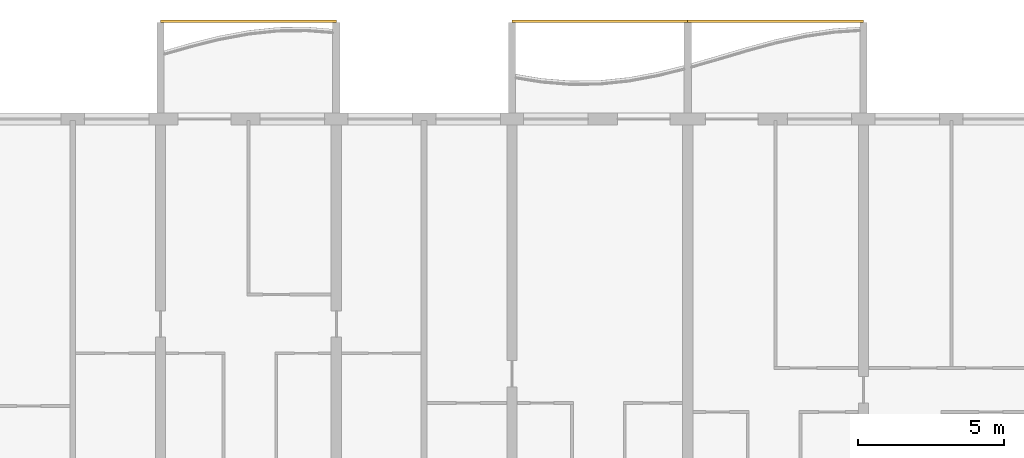
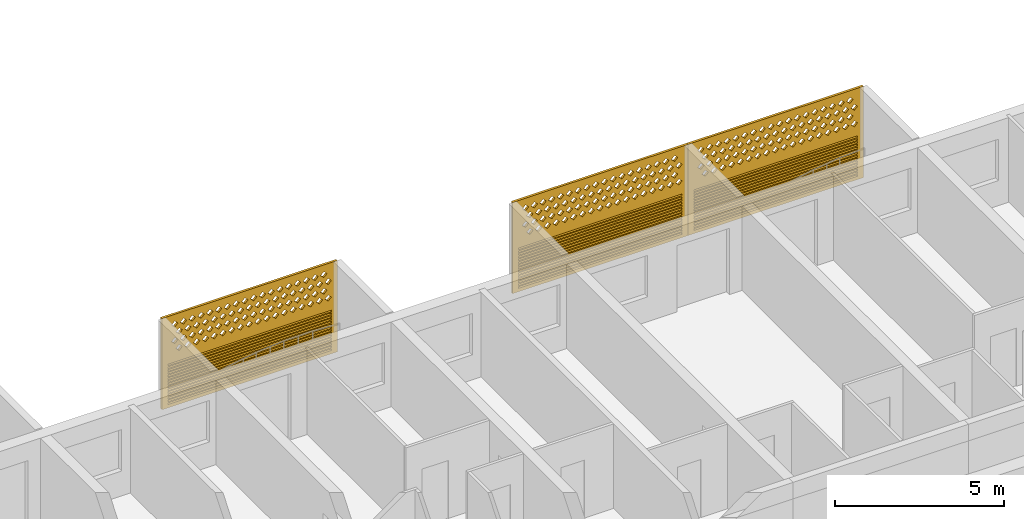
# One storey, part 21 of 27: 3 coverings.
"""IFC4 building model written with IfcOpenShell, lengths in metres."""

from ifc_helpers import new_model, si_unit, direction, frame, origin, place, context, subcontext, project, spatial, polyline, outline, extrude, source, transform, mapped, material, material_profile, profile_set, type_object, element, save


model = new_model("IFC4")

# Units and contexts
model_context = context("Model", 3, precision=1e-05, world=origin(), true_north=direction((0.0, 1.0)))
body_context = subcontext(model_context, "Body", "Model", "MODEL_VIEW")
ifc_project = project(units=[si_unit("LENGTHUNIT", "METRE"), si_unit("AREAUNIT", "SQUARE_METRE"), si_unit("VOLUMEUNIT", "CUBIC_METRE"), si_unit("PLANEANGLEUNIT", "RADIAN"), si_unit("MASSUNIT", "GRAM", prefix="KILO")], contexts=[model_context])

# Site, building, storey
site_placement = place(None, origin())
site = spatial("IfcSite", under=ifc_project, at=site_placement, CompositionType="ELEMENT")
building_placement = place(site_placement, origin())
building = spatial("IfcBuilding", under=site, at=building_placement, Name="Poui Terraces", CompositionType="ELEMENT")
storey_placement = place(building_placement, frame((0.0, 0.0, 92.699951171875)))
storey = spatial("IfcBuildingStorey", under=building, at=storey_placement, Name="L25", CompositionType="ELEMENT", Elevation=92.699951171875)

# Coverings
ifc_material = material(Name="Terracotta screen", Category="masonry")
ifc_material_profile = material_profile(ifc_material, outline(polyline([(-3.0, -1.64990234375), (3.0, -1.64990234375), (3.0, 1.64990234375), (-3.0, 1.64990234375), (-3.0, -1.64990234375)]), holes=[polyline([(-2.800048828125, 0.39990234375), (-2.68994140625, 0.2900390625), (-2.580078125, 0.39990234375), (-2.68994140625, 0.510009765625), (-2.800048828125, 0.39990234375)]), polyline([(-2.5, 0.39990234375), (-2.389892578125, 0.2900390625), (-2.280029296875, 0.39990234375), (-2.389892578125, 0.510009765625), (-2.5, 0.39990234375)]), polyline([(-2.199951171875, 0.39990234375), (-2.090087890625, 0.2900390625), (-1.97998046875, 0.39990234375), (-2.090087890625, 0.510009765625), (-2.199951171875, 0.39990234375)]), polyline([(-1.89990234375, 0.39990234375), (-1.7900390625, 0.2900390625), (-1.679931640625, 0.39990234375), (-1.7900390625, 0.510009765625), (-1.89990234375, 0.39990234375)]), polyline([(-1.60009765625, 0.39990234375), (-1.489990234375, 0.2900390625), (-1.3798828125, 0.39990234375), (-1.489990234375, 0.510009765625), (-1.60009765625, 0.39990234375)]), polyline([(-1.300048828125, 0.39990234375), (-1.18994140625, 0.2900390625), (-1.080078125, 0.39990234375), (-1.18994140625, 0.510009765625), (-1.300048828125, 0.39990234375)]), polyline([(-1.0, 0.39990234375), (-0.889892578125, 0.2900390625), (-0.780029296875, 0.39990234375), (-0.889892578125, 0.510009765625), (-1.0, 0.39990234375)]), polyline([(-0.699951171875, 0.39990234375), (-0.590087890625, 0.2900390625), (-0.47998046875, 0.39990234375), (-0.590087890625, 0.510009765625), (-0.699951171875, 0.39990234375)]), polyline([(-0.39990234375, 0.39990234375), (-0.2900390625, 0.2900390625), (-0.179931640625, 0.39990234375), (-0.2900390625, 0.510009765625), (-0.39990234375, 0.39990234375)]), polyline([(-0.10009765625, 0.39990234375), (0.010009765625, 0.2900390625), (0.1201171875, 0.39990234375), (0.010009765625, 0.510009765625), (-0.10009765625, 0.39990234375)]), polyline([(0.199951171875, 0.39990234375), (0.31005859375, 0.2900390625), (0.419921875, 0.39990234375), (0.31005859375, 0.510009765625), (0.199951171875, 0.39990234375)]), polyline([(0.5, 0.39990234375), (0.610107421875, 0.2900390625), (0.719970703125, 0.39990234375), (0.610107421875, 0.510009765625), (0.5, 0.39990234375)]), polyline([(0.800048828125, 0.39990234375), (0.909912109375, 0.2900390625), (1.02001953125, 0.39990234375), (0.909912109375, 0.510009765625), (0.800048828125, 0.39990234375)]), polyline([(1.10009765625, 0.39990234375), (1.2099609375, 0.2900390625), (1.320068359375, 0.39990234375), (1.2099609375, 0.510009765625), (1.10009765625, 0.39990234375)]), polyline([(1.39990234375, 0.39990234375), (1.510009765625, 0.2900390625), (1.6201171875, 0.39990234375), (1.510009765625, 0.510009765625), (1.39990234375, 0.39990234375)]), polyline([(1.699951171875, 0.39990234375), (1.81005859375, 0.2900390625), (1.919921875, 0.39990234375), (1.81005859375, 0.510009765625), (1.699951171875, 0.39990234375)]), polyline([(2.0, 0.39990234375), (2.110107421875, 0.2900390625), (2.219970703125, 0.39990234375), (2.110107421875, 0.510009765625), (2.0, 0.39990234375)]), polyline([(2.300048828125, 0.39990234375), (2.409912109375, 0.2900390625), (2.52001953125, 0.39990234375), (2.409912109375, 0.510009765625), (2.300048828125, 0.39990234375)]), polyline([(-2.64990234375, 0.699951171875), (-2.5400390625, 0.590087890625), (-2.429931640625, 0.699951171875), (-2.5400390625, 0.81005859375), (-2.64990234375, 0.699951171875)]), polyline([(-2.35009765625, 0.699951171875), (-2.239990234375, 0.590087890625), (-2.1298828125, 0.699951171875), (-2.239990234375, 0.81005859375), (-2.35009765625, 0.699951171875)]), polyline([(-2.050048828125, 0.699951171875), (-1.93994140625, 0.590087890625), (-1.830078125, 0.699951171875), (-1.93994140625, 0.81005859375), (-2.050048828125, 0.699951171875)]), polyline([(-1.75, 0.699951171875), (-1.639892578125, 0.590087890625), (-1.530029296875, 0.699951171875), (-1.639892578125, 0.81005859375), (-1.75, 0.699951171875)]), polyline([(-1.449951171875, 0.699951171875), (-1.340087890625, 0.590087890625), (-1.22998046875, 0.699951171875), (-1.340087890625, 0.81005859375), (-1.449951171875, 0.699951171875)]), polyline([(-1.14990234375, 0.699951171875), (-1.0400390625, 0.590087890625), (-0.929931640625, 0.699951171875), (-1.0400390625, 0.81005859375), (-1.14990234375, 0.699951171875)]), polyline([(-0.85009765625, 0.699951171875), (-0.739990234375, 0.590087890625), (-0.6298828125, 0.699951171875), (-0.739990234375, 0.81005859375), (-0.85009765625, 0.699951171875)]), polyline([(-0.550048828125, 0.699951171875), (-0.43994140625, 0.590087890625), (-0.330078125, 0.699951171875), (-0.43994140625, 0.81005859375), (-0.550048828125, 0.699951171875)]), polyline([(-0.25, 0.699951171875), (-0.139892578125, 0.590087890625), (-0.030029296875, 0.699951171875), (-0.139892578125, 0.81005859375), (-0.25, 0.699951171875)]), polyline([(0.050048828125, 0.699951171875), (0.159912109375, 0.590087890625), (0.27001953125, 0.699951171875), (0.159912109375, 0.81005859375), (0.050048828125, 0.699951171875)]), polyline([(0.35009765625, 0.699951171875), (0.4599609375, 0.590087890625), (0.570068359375, 0.699951171875), (0.4599609375, 0.81005859375), (0.35009765625, 0.699951171875)]), polyline([(0.64990234375, 0.699951171875), (0.760009765625, 0.590087890625), (0.8701171875, 0.699951171875), (0.760009765625, 0.81005859375), (0.64990234375, 0.699951171875)]), polyline([(0.949951171875, 0.699951171875), (1.06005859375, 0.590087890625), (1.169921875, 0.699951171875), (1.06005859375, 0.81005859375), (0.949951171875, 0.699951171875)]), polyline([(1.25, 0.699951171875), (1.360107421875, 0.590087890625), (1.469970703125, 0.699951171875), (1.360107421875, 0.81005859375), (1.25, 0.699951171875)]), polyline([(1.550048828125, 0.699951171875), (1.659912109375, 0.590087890625), (1.77001953125, 0.699951171875), (1.659912109375, 0.81005859375), (1.550048828125, 0.699951171875)]), polyline([(1.85009765625, 0.699951171875), (1.9599609375, 0.590087890625), (2.070068359375, 0.699951171875), (1.9599609375, 0.81005859375), (1.85009765625, 0.699951171875)]), polyline([(2.14990234375, 0.699951171875), (2.260009765625, 0.590087890625), (2.3701171875, 0.699951171875), (2.260009765625, 0.81005859375), (2.14990234375, 0.699951171875)]), polyline([(2.449951171875, 0.699951171875), (2.56005859375, 0.590087890625), (2.669921875, 0.699951171875), (2.56005859375, 0.81005859375), (2.449951171875, 0.699951171875)]), polyline([(-2.800048828125, 1.0), (-2.68994140625, 0.889892578125), (-2.580078125, 1.0), (-2.68994140625, 1.110107421875), (-2.800048828125, 1.0)]), polyline([(-2.5, 1.0), (-2.389892578125, 0.889892578125), (-2.280029296875, 1.0), (-2.389892578125, 1.110107421875), (-2.5, 1.0)]), polyline([(-2.199951171875, 1.0), (-2.090087890625, 0.889892578125), (-1.97998046875, 1.0), (-2.090087890625, 1.110107421875), (-2.199951171875, 1.0)]), polyline([(-1.89990234375, 1.0), (-1.7900390625, 0.889892578125), (-1.679931640625, 1.0), (-1.7900390625, 1.110107421875), (-1.89990234375, 1.0)]), polyline([(-1.60009765625, 1.0), (-1.489990234375, 0.889892578125), (-1.3798828125, 1.0), (-1.489990234375, 1.110107421875), (-1.60009765625, 1.0)]), polyline([(-1.300048828125, 1.0), (-1.18994140625, 0.889892578125), (-1.080078125, 1.0), (-1.18994140625, 1.110107421875), (-1.300048828125, 1.0)]), polyline([(-1.0, 1.0), (-0.889892578125, 0.889892578125), (-0.780029296875, 1.0), (-0.889892578125, 1.110107421875), (-1.0, 1.0)]), polyline([(-0.699951171875, 1.0), (-0.590087890625, 0.889892578125), (-0.47998046875, 1.0), (-0.590087890625, 1.110107421875), (-0.699951171875, 1.0)]), polyline([(-0.39990234375, 1.0), (-0.2900390625, 0.889892578125), (-0.179931640625, 1.0), (-0.2900390625, 1.110107421875), (-0.39990234375, 1.0)]), polyline([(-0.10009765625, 1.0), (0.010009765625, 0.889892578125), (0.1201171875, 1.0), (0.010009765625, 1.110107421875), (-0.10009765625, 1.0)]), polyline([(0.199951171875, 1.0), (0.31005859375, 0.889892578125), (0.419921875, 1.0), (0.31005859375, 1.110107421875), (0.199951171875, 1.0)]), polyline([(0.5, 1.0), (0.610107421875, 0.889892578125), (0.719970703125, 1.0), (0.610107421875, 1.110107421875), (0.5, 1.0)]), polyline([(0.800048828125, 1.0), (0.909912109375, 0.889892578125), (1.02001953125, 1.0), (0.909912109375, 1.110107421875), (0.800048828125, 1.0)]), polyline([(1.10009765625, 1.0), (1.2099609375, 0.889892578125), (1.320068359375, 1.0), (1.2099609375, 1.110107421875), (1.10009765625, 1.0)]), polyline([(1.39990234375, 1.0), (1.510009765625, 0.889892578125), (1.6201171875, 1.0), (1.510009765625, 1.110107421875), (1.39990234375, 1.0)]), polyline([(1.699951171875, 1.0), (1.81005859375, 0.889892578125), (1.919921875, 1.0), (1.81005859375, 1.110107421875), (1.699951171875, 1.0)]), polyline([(2.0, 1.0), (2.110107421875, 0.889892578125), (2.219970703125, 1.0), (2.110107421875, 1.110107421875), (2.0, 1.0)]), polyline([(2.300048828125, 1.0), (2.409912109375, 0.889892578125), (2.52001953125, 1.0), (2.409912109375, 1.110107421875), (2.300048828125, 1.0)]), polyline([(-2.64990234375, 1.300048828125), (-2.5400390625, 1.18994140625), (-2.429931640625, 1.300048828125), (-2.5400390625, 1.409912109375), (-2.64990234375, 1.300048828125)]), polyline([(-2.35009765625, 1.300048828125), (-2.239990234375, 1.18994140625), (-2.1298828125, 1.300048828125), (-2.239990234375, 1.409912109375), (-2.35009765625, 1.300048828125)]), polyline([(-2.050048828125, 1.300048828125), (-1.93994140625, 1.18994140625), (-1.830078125, 1.300048828125), (-1.93994140625, 1.409912109375), (-2.050048828125, 1.300048828125)]), polyline([(-1.75, 1.300048828125), (-1.639892578125, 1.18994140625), (-1.530029296875, 1.300048828125), (-1.639892578125, 1.409912109375), (-1.75, 1.300048828125)]), polyline([(-1.449951171875, 1.300048828125), (-1.340087890625, 1.18994140625), (-1.22998046875, 1.300048828125), (-1.340087890625, 1.409912109375), (-1.449951171875, 1.300048828125)]), polyline([(-1.14990234375, 1.300048828125), (-1.0400390625, 1.18994140625), (-0.929931640625, 1.300048828125), (-1.0400390625, 1.409912109375), (-1.14990234375, 1.300048828125)]), polyline([(-0.85009765625, 1.300048828125), (-0.739990234375, 1.18994140625), (-0.6298828125, 1.300048828125), (-0.739990234375, 1.409912109375), (-0.85009765625, 1.300048828125)]), polyline([(-0.550048828125, 1.300048828125), (-0.43994140625, 1.18994140625), (-0.330078125, 1.300048828125), (-0.43994140625, 1.409912109375), (-0.550048828125, 1.300048828125)]), polyline([(-0.25, 1.300048828125), (-0.139892578125, 1.18994140625), (-0.030029296875, 1.300048828125), (-0.139892578125, 1.409912109375), (-0.25, 1.300048828125)]), polyline([(0.050048828125, 1.300048828125), (0.159912109375, 1.18994140625), (0.27001953125, 1.300048828125), (0.159912109375, 1.409912109375), (0.050048828125, 1.300048828125)]), polyline([(0.35009765625, 1.300048828125), (0.4599609375, 1.18994140625), (0.570068359375, 1.300048828125), (0.4599609375, 1.409912109375), (0.35009765625, 1.300048828125)]), polyline([(0.64990234375, 1.300048828125), (0.760009765625, 1.18994140625), (0.8701171875, 1.300048828125), (0.760009765625, 1.409912109375), (0.64990234375, 1.300048828125)]), polyline([(0.949951171875, 1.300048828125), (1.06005859375, 1.18994140625), (1.169921875, 1.300048828125), (1.06005859375, 1.409912109375), (0.949951171875, 1.300048828125)]), polyline([(1.25, 1.300048828125), (1.360107421875, 1.18994140625), (1.469970703125, 1.300048828125), (1.360107421875, 1.409912109375), (1.25, 1.300048828125)]), polyline([(1.550048828125, 1.300048828125), (1.659912109375, 1.18994140625), (1.77001953125, 1.300048828125), (1.659912109375, 1.409912109375), (1.550048828125, 1.300048828125)]), polyline([(1.85009765625, 1.300048828125), (1.9599609375, 1.18994140625), (2.070068359375, 1.300048828125), (1.9599609375, 1.409912109375), (1.85009765625, 1.300048828125)]), polyline([(2.14990234375, 1.300048828125), (2.260009765625, 1.18994140625), (2.3701171875, 1.300048828125), (2.260009765625, 1.409912109375), (2.14990234375, 1.300048828125)]), polyline([(2.449951171875, 1.300048828125), (2.56005859375, 1.18994140625), (2.669921875, 1.300048828125), (2.56005859375, 1.409912109375), (2.449951171875, 1.300048828125)]), polyline([(-2.800048828125, -1.530029296875), (2.800048828125, -1.530029296875), (2.800048828125, -1.469970703125), (-2.800048828125, -1.469970703125), (-2.800048828125, -1.530029296875)]), polyline([(-2.800048828125, -1.429931640625), (2.800048828125, -1.429931640625), (2.800048828125, -1.3701171875), (-2.800048828125, -1.3701171875), (-2.800048828125, -1.429931640625)]), polyline([(-2.800048828125, -1.330078125), (2.800048828125, -1.330078125), (2.800048828125, -1.27001953125), (-2.800048828125, -1.27001953125), (-2.800048828125, -1.330078125)]), polyline([(-2.800048828125, -1.22998046875), (2.800048828125, -1.22998046875), (2.800048828125, -1.169921875), (-2.800048828125, -1.169921875), (-2.800048828125, -1.22998046875)]), polyline([(-2.800048828125, -1.1298828125), (2.800048828125, -1.1298828125), (2.800048828125, -1.070068359375), (-2.800048828125, -1.070068359375), (-2.800048828125, -1.1298828125)]), polyline([(-2.800048828125, -1.030029296875), (2.800048828125, -1.030029296875), (2.800048828125, -0.969970703125), (-2.800048828125, -0.969970703125), (-2.800048828125, -1.030029296875)]), polyline([(-2.800048828125, -0.929931640625), (2.800048828125, -0.929931640625), (2.800048828125, -0.8701171875), (-2.800048828125, -0.8701171875), (-2.800048828125, -0.929931640625)]), polyline([(-2.800048828125, -0.830078125), (2.800048828125, -0.830078125), (2.800048828125, -0.77001953125), (-2.800048828125, -0.77001953125), (-2.800048828125, -0.830078125)]), polyline([(-2.800048828125, -0.72998046875), (2.800048828125, -0.72998046875), (2.800048828125, -0.669921875), (-2.800048828125, -0.669921875), (-2.800048828125, -0.72998046875)]), polyline([(-2.800048828125, -0.6298828125), (2.800048828125, -0.6298828125), (2.800048828125, -0.570068359375), (-2.800048828125, -0.570068359375), (-2.800048828125, -0.6298828125)]), polyline([(-2.800048828125, -0.530029296875), (2.800048828125, -0.530029296875), (2.800048828125, -0.469970703125), (-2.800048828125, -0.469970703125), (-2.800048828125, -0.530029296875)]), polyline([(-2.800048828125, -0.429931640625), (2.800048828125, -0.429931640625), (2.800048828125, -0.3701171875), (-2.800048828125, -0.3701171875), (-2.800048828125, -0.429931640625)]), polyline([(-2.800048828125, -0.330078125), (2.800048828125, -0.330078125), (2.800048828125, -0.27001953125), (-2.800048828125, -0.27001953125), (-2.800048828125, -0.330078125)]), polyline([(-2.800048828125, -0.22998046875), (2.800048828125, -0.22998046875), (2.800048828125, -0.169921875), (-2.800048828125, -0.169921875), (-2.800048828125, -0.22998046875)]), polyline([(-2.800048828125, -0.1298828125), (2.800048828125, -0.1298828125), (2.800048828125, -0.070068359375), (-2.800048828125, -0.070068359375), (-2.800048828125, -0.1298828125)])]), Name="TERRACOTTA SCREEN AND JALOUSIE LOUVRE 6000X3300")
ifc_profile_set = profile_set([ifc_material_profile], Name="Terracotta screen")
covering_type = type_object("IfcCoveringType", Name="TERRACOTTA SCREEN AND JALOUSIE LOUVRE 6000X3300", PredefinedType="CLADDING", material=ifc_profile_set)
shared_shape = source(origin(), body_context, "Body", "SweptSolid", [
    extrude(outline(polyline([(-3.0, -1.64990234375), (3.0, -1.64990234375), (3.0, 1.64990234375), (-3.0, 1.64990234375), (-3.0, -1.64990234375)]), holes=[polyline([(-2.800048828125, 0.39990234375), (-2.68994140625, 0.2900390625), (-2.580078125, 0.39990234375), (-2.68994140625, 0.510009765625), (-2.800048828125, 0.39990234375)]), polyline([(-2.5, 0.39990234375), (-2.389892578125, 0.2900390625), (-2.280029296875, 0.39990234375), (-2.389892578125, 0.510009765625), (-2.5, 0.39990234375)]), polyline([(-2.199951171875, 0.39990234375), (-2.090087890625, 0.2900390625), (-1.97998046875, 0.39990234375), (-2.090087890625, 0.510009765625), (-2.199951171875, 0.39990234375)]), polyline([(-1.89990234375, 0.39990234375), (-1.7900390625, 0.2900390625), (-1.679931640625, 0.39990234375), (-1.7900390625, 0.510009765625), (-1.89990234375, 0.39990234375)]), polyline([(-1.60009765625, 0.39990234375), (-1.489990234375, 0.2900390625), (-1.3798828125, 0.39990234375), (-1.489990234375, 0.510009765625), (-1.60009765625, 0.39990234375)]), polyline([(-1.300048828125, 0.39990234375), (-1.18994140625, 0.2900390625), (-1.080078125, 0.39990234375), (-1.18994140625, 0.510009765625), (-1.300048828125, 0.39990234375)]), polyline([(-1.0, 0.39990234375), (-0.889892578125, 0.2900390625), (-0.780029296875, 0.39990234375), (-0.889892578125, 0.510009765625), (-1.0, 0.39990234375)]), polyline([(-0.699951171875, 0.39990234375), (-0.590087890625, 0.2900390625), (-0.47998046875, 0.39990234375), (-0.590087890625, 0.510009765625), (-0.699951171875, 0.39990234375)]), polyline([(-0.39990234375, 0.39990234375), (-0.2900390625, 0.2900390625), (-0.179931640625, 0.39990234375), (-0.2900390625, 0.510009765625), (-0.39990234375, 0.39990234375)]), polyline([(-0.10009765625, 0.39990234375), (0.010009765625, 0.2900390625), (0.1201171875, 0.39990234375), (0.010009765625, 0.510009765625), (-0.10009765625, 0.39990234375)]), polyline([(0.199951171875, 0.39990234375), (0.31005859375, 0.2900390625), (0.419921875, 0.39990234375), (0.31005859375, 0.510009765625), (0.199951171875, 0.39990234375)]), polyline([(0.5, 0.39990234375), (0.610107421875, 0.2900390625), (0.719970703125, 0.39990234375), (0.610107421875, 0.510009765625), (0.5, 0.39990234375)]), polyline([(0.800048828125, 0.39990234375), (0.909912109375, 0.2900390625), (1.02001953125, 0.39990234375), (0.909912109375, 0.510009765625), (0.800048828125, 0.39990234375)]), polyline([(1.10009765625, 0.39990234375), (1.2099609375, 0.2900390625), (1.320068359375, 0.39990234375), (1.2099609375, 0.510009765625), (1.10009765625, 0.39990234375)]), polyline([(1.39990234375, 0.39990234375), (1.510009765625, 0.2900390625), (1.6201171875, 0.39990234375), (1.510009765625, 0.510009765625), (1.39990234375, 0.39990234375)]), polyline([(1.699951171875, 0.39990234375), (1.81005859375, 0.2900390625), (1.919921875, 0.39990234375), (1.81005859375, 0.510009765625), (1.699951171875, 0.39990234375)]), polyline([(2.0, 0.39990234375), (2.110107421875, 0.2900390625), (2.219970703125, 0.39990234375), (2.110107421875, 0.510009765625), (2.0, 0.39990234375)]), polyline([(2.300048828125, 0.39990234375), (2.409912109375, 0.2900390625), (2.52001953125, 0.39990234375), (2.409912109375, 0.510009765625), (2.300048828125, 0.39990234375)]), polyline([(-2.64990234375, 0.699951171875), (-2.5400390625, 0.590087890625), (-2.429931640625, 0.699951171875), (-2.5400390625, 0.81005859375), (-2.64990234375, 0.699951171875)]), polyline([(-2.35009765625, 0.699951171875), (-2.239990234375, 0.590087890625), (-2.1298828125, 0.699951171875), (-2.239990234375, 0.81005859375), (-2.35009765625, 0.699951171875)]), polyline([(-2.050048828125, 0.699951171875), (-1.93994140625, 0.590087890625), (-1.830078125, 0.699951171875), (-1.93994140625, 0.81005859375), (-2.050048828125, 0.699951171875)]), polyline([(-1.75, 0.699951171875), (-1.639892578125, 0.590087890625), (-1.530029296875, 0.699951171875), (-1.639892578125, 0.81005859375), (-1.75, 0.699951171875)]), polyline([(-1.449951171875, 0.699951171875), (-1.340087890625, 0.590087890625), (-1.22998046875, 0.699951171875), (-1.340087890625, 0.81005859375), (-1.449951171875, 0.699951171875)]), polyline([(-1.14990234375, 0.699951171875), (-1.0400390625, 0.590087890625), (-0.929931640625, 0.699951171875), (-1.0400390625, 0.81005859375), (-1.14990234375, 0.699951171875)]), polyline([(-0.85009765625, 0.699951171875), (-0.739990234375, 0.590087890625), (-0.6298828125, 0.699951171875), (-0.739990234375, 0.81005859375), (-0.85009765625, 0.699951171875)]), polyline([(-0.550048828125, 0.699951171875), (-0.43994140625, 0.590087890625), (-0.330078125, 0.699951171875), (-0.43994140625, 0.81005859375), (-0.550048828125, 0.699951171875)]), polyline([(-0.25, 0.699951171875), (-0.139892578125, 0.590087890625), (-0.030029296875, 0.699951171875), (-0.139892578125, 0.81005859375), (-0.25, 0.699951171875)]), polyline([(0.050048828125, 0.699951171875), (0.159912109375, 0.590087890625), (0.27001953125, 0.699951171875), (0.159912109375, 0.81005859375), (0.050048828125, 0.699951171875)]), polyline([(0.35009765625, 0.699951171875), (0.4599609375, 0.590087890625), (0.570068359375, 0.699951171875), (0.4599609375, 0.81005859375), (0.35009765625, 0.699951171875)]), polyline([(0.64990234375, 0.699951171875), (0.760009765625, 0.590087890625), (0.8701171875, 0.699951171875), (0.760009765625, 0.81005859375), (0.64990234375, 0.699951171875)]), polyline([(0.949951171875, 0.699951171875), (1.06005859375, 0.590087890625), (1.169921875, 0.699951171875), (1.06005859375, 0.81005859375), (0.949951171875, 0.699951171875)]), polyline([(1.25, 0.699951171875), (1.360107421875, 0.590087890625), (1.469970703125, 0.699951171875), (1.360107421875, 0.81005859375), (1.25, 0.699951171875)]), polyline([(1.550048828125, 0.699951171875), (1.659912109375, 0.590087890625), (1.77001953125, 0.699951171875), (1.659912109375, 0.81005859375), (1.550048828125, 0.699951171875)]), polyline([(1.85009765625, 0.699951171875), (1.9599609375, 0.590087890625), (2.070068359375, 0.699951171875), (1.9599609375, 0.81005859375), (1.85009765625, 0.699951171875)]), polyline([(2.14990234375, 0.699951171875), (2.260009765625, 0.590087890625), (2.3701171875, 0.699951171875), (2.260009765625, 0.81005859375), (2.14990234375, 0.699951171875)]), polyline([(2.449951171875, 0.699951171875), (2.56005859375, 0.590087890625), (2.669921875, 0.699951171875), (2.56005859375, 0.81005859375), (2.449951171875, 0.699951171875)]), polyline([(-2.800048828125, 1.0), (-2.68994140625, 0.889892578125), (-2.580078125, 1.0), (-2.68994140625, 1.110107421875), (-2.800048828125, 1.0)]), polyline([(-2.5, 1.0), (-2.389892578125, 0.889892578125), (-2.280029296875, 1.0), (-2.389892578125, 1.110107421875), (-2.5, 1.0)]), polyline([(-2.199951171875, 1.0), (-2.090087890625, 0.889892578125), (-1.97998046875, 1.0), (-2.090087890625, 1.110107421875), (-2.199951171875, 1.0)]), polyline([(-1.89990234375, 1.0), (-1.7900390625, 0.889892578125), (-1.679931640625, 1.0), (-1.7900390625, 1.110107421875), (-1.89990234375, 1.0)]), polyline([(-1.60009765625, 1.0), (-1.489990234375, 0.889892578125), (-1.3798828125, 1.0), (-1.489990234375, 1.110107421875), (-1.60009765625, 1.0)]), polyline([(-1.300048828125, 1.0), (-1.18994140625, 0.889892578125), (-1.080078125, 1.0), (-1.18994140625, 1.110107421875), (-1.300048828125, 1.0)]), polyline([(-1.0, 1.0), (-0.889892578125, 0.889892578125), (-0.780029296875, 1.0), (-0.889892578125, 1.110107421875), (-1.0, 1.0)]), polyline([(-0.699951171875, 1.0), (-0.590087890625, 0.889892578125), (-0.47998046875, 1.0), (-0.590087890625, 1.110107421875), (-0.699951171875, 1.0)]), polyline([(-0.39990234375, 1.0), (-0.2900390625, 0.889892578125), (-0.179931640625, 1.0), (-0.2900390625, 1.110107421875), (-0.39990234375, 1.0)]), polyline([(-0.10009765625, 1.0), (0.010009765625, 0.889892578125), (0.1201171875, 1.0), (0.010009765625, 1.110107421875), (-0.10009765625, 1.0)]), polyline([(0.199951171875, 1.0), (0.31005859375, 0.889892578125), (0.419921875, 1.0), (0.31005859375, 1.110107421875), (0.199951171875, 1.0)]), polyline([(0.5, 1.0), (0.610107421875, 0.889892578125), (0.719970703125, 1.0), (0.610107421875, 1.110107421875), (0.5, 1.0)]), polyline([(0.800048828125, 1.0), (0.909912109375, 0.889892578125), (1.02001953125, 1.0), (0.909912109375, 1.110107421875), (0.800048828125, 1.0)]), polyline([(1.10009765625, 1.0), (1.2099609375, 0.889892578125), (1.320068359375, 1.0), (1.2099609375, 1.110107421875), (1.10009765625, 1.0)]), polyline([(1.39990234375, 1.0), (1.510009765625, 0.889892578125), (1.6201171875, 1.0), (1.510009765625, 1.110107421875), (1.39990234375, 1.0)]), polyline([(1.699951171875, 1.0), (1.81005859375, 0.889892578125), (1.919921875, 1.0), (1.81005859375, 1.110107421875), (1.699951171875, 1.0)]), polyline([(2.0, 1.0), (2.110107421875, 0.889892578125), (2.219970703125, 1.0), (2.110107421875, 1.110107421875), (2.0, 1.0)]), polyline([(2.300048828125, 1.0), (2.409912109375, 0.889892578125), (2.52001953125, 1.0), (2.409912109375, 1.110107421875), (2.300048828125, 1.0)]), polyline([(-2.64990234375, 1.300048828125), (-2.5400390625, 1.18994140625), (-2.429931640625, 1.300048828125), (-2.5400390625, 1.409912109375), (-2.64990234375, 1.300048828125)]), polyline([(-2.35009765625, 1.300048828125), (-2.239990234375, 1.18994140625), (-2.1298828125, 1.300048828125), (-2.239990234375, 1.409912109375), (-2.35009765625, 1.300048828125)]), polyline([(-2.050048828125, 1.300048828125), (-1.93994140625, 1.18994140625), (-1.830078125, 1.300048828125), (-1.93994140625, 1.409912109375), (-2.050048828125, 1.300048828125)]), polyline([(-1.75, 1.300048828125), (-1.639892578125, 1.18994140625), (-1.530029296875, 1.300048828125), (-1.639892578125, 1.409912109375), (-1.75, 1.300048828125)]), polyline([(-1.449951171875, 1.300048828125), (-1.340087890625, 1.18994140625), (-1.22998046875, 1.300048828125), (-1.340087890625, 1.409912109375), (-1.449951171875, 1.300048828125)]), polyline([(-1.14990234375, 1.300048828125), (-1.0400390625, 1.18994140625), (-0.929931640625, 1.300048828125), (-1.0400390625, 1.409912109375), (-1.14990234375, 1.300048828125)]), polyline([(-0.85009765625, 1.300048828125), (-0.739990234375, 1.18994140625), (-0.6298828125, 1.300048828125), (-0.739990234375, 1.409912109375), (-0.85009765625, 1.300048828125)]), polyline([(-0.550048828125, 1.300048828125), (-0.43994140625, 1.18994140625), (-0.330078125, 1.300048828125), (-0.43994140625, 1.409912109375), (-0.550048828125, 1.300048828125)]), polyline([(-0.25, 1.300048828125), (-0.139892578125, 1.18994140625), (-0.030029296875, 1.300048828125), (-0.139892578125, 1.409912109375), (-0.25, 1.300048828125)]), polyline([(0.050048828125, 1.300048828125), (0.159912109375, 1.18994140625), (0.27001953125, 1.300048828125), (0.159912109375, 1.409912109375), (0.050048828125, 1.300048828125)]), polyline([(0.35009765625, 1.300048828125), (0.4599609375, 1.18994140625), (0.570068359375, 1.300048828125), (0.4599609375, 1.409912109375), (0.35009765625, 1.300048828125)]), polyline([(0.64990234375, 1.300048828125), (0.760009765625, 1.18994140625), (0.8701171875, 1.300048828125), (0.760009765625, 1.409912109375), (0.64990234375, 1.300048828125)]), polyline([(0.949951171875, 1.300048828125), (1.06005859375, 1.18994140625), (1.169921875, 1.300048828125), (1.06005859375, 1.409912109375), (0.949951171875, 1.300048828125)]), polyline([(1.25, 1.300048828125), (1.360107421875, 1.18994140625), (1.469970703125, 1.300048828125), (1.360107421875, 1.409912109375), (1.25, 1.300048828125)]), polyline([(1.550048828125, 1.300048828125), (1.659912109375, 1.18994140625), (1.77001953125, 1.300048828125), (1.659912109375, 1.409912109375), (1.550048828125, 1.300048828125)]), polyline([(1.85009765625, 1.300048828125), (1.9599609375, 1.18994140625), (2.070068359375, 1.300048828125), (1.9599609375, 1.409912109375), (1.85009765625, 1.300048828125)]), polyline([(2.14990234375, 1.300048828125), (2.260009765625, 1.18994140625), (2.3701171875, 1.300048828125), (2.260009765625, 1.409912109375), (2.14990234375, 1.300048828125)]), polyline([(2.449951171875, 1.300048828125), (2.56005859375, 1.18994140625), (2.669921875, 1.300048828125), (2.56005859375, 1.409912109375), (2.449951171875, 1.300048828125)]), polyline([(-2.800048828125, -1.530029296875), (2.800048828125, -1.530029296875), (2.800048828125, -1.469970703125), (-2.800048828125, -1.469970703125), (-2.800048828125, -1.530029296875)]), polyline([(-2.800048828125, -1.429931640625), (2.800048828125, -1.429931640625), (2.800048828125, -1.3701171875), (-2.800048828125, -1.3701171875), (-2.800048828125, -1.429931640625)]), polyline([(-2.800048828125, -1.330078125), (2.800048828125, -1.330078125), (2.800048828125, -1.27001953125), (-2.800048828125, -1.27001953125), (-2.800048828125, -1.330078125)]), polyline([(-2.800048828125, -1.22998046875), (2.800048828125, -1.22998046875), (2.800048828125, -1.169921875), (-2.800048828125, -1.169921875), (-2.800048828125, -1.22998046875)]), polyline([(-2.800048828125, -1.1298828125), (2.800048828125, -1.1298828125), (2.800048828125, -1.070068359375), (-2.800048828125, -1.070068359375), (-2.800048828125, -1.1298828125)]), polyline([(-2.800048828125, -1.030029296875), (2.800048828125, -1.030029296875), (2.800048828125, -0.969970703125), (-2.800048828125, -0.969970703125), (-2.800048828125, -1.030029296875)]), polyline([(-2.800048828125, -0.929931640625), (2.800048828125, -0.929931640625), (2.800048828125, -0.8701171875), (-2.800048828125, -0.8701171875), (-2.800048828125, -0.929931640625)]), polyline([(-2.800048828125, -0.830078125), (2.800048828125, -0.830078125), (2.800048828125, -0.77001953125), (-2.800048828125, -0.77001953125), (-2.800048828125, -0.830078125)]), polyline([(-2.800048828125, -0.72998046875), (2.800048828125, -0.72998046875), (2.800048828125, -0.669921875), (-2.800048828125, -0.669921875), (-2.800048828125, -0.72998046875)]), polyline([(-2.800048828125, -0.6298828125), (2.800048828125, -0.6298828125), (2.800048828125, -0.570068359375), (-2.800048828125, -0.570068359375), (-2.800048828125, -0.6298828125)]), polyline([(-2.800048828125, -0.530029296875), (2.800048828125, -0.530029296875), (2.800048828125, -0.469970703125), (-2.800048828125, -0.469970703125), (-2.800048828125, -0.530029296875)]), polyline([(-2.800048828125, -0.429931640625), (2.800048828125, -0.429931640625), (2.800048828125, -0.3701171875), (-2.800048828125, -0.3701171875), (-2.800048828125, -0.429931640625)]), polyline([(-2.800048828125, -0.330078125), (2.800048828125, -0.330078125), (2.800048828125, -0.27001953125), (-2.800048828125, -0.27001953125), (-2.800048828125, -0.330078125)]), polyline([(-2.800048828125, -0.22998046875), (2.800048828125, -0.22998046875), (2.800048828125, -0.169921875), (-2.800048828125, -0.169921875), (-2.800048828125, -0.22998046875)]), polyline([(-2.800048828125, -0.1298828125), (2.800048828125, -0.1298828125), (2.800048828125, -0.070068359375), (-2.800048828125, -0.070068359375), (-2.800048828125, -0.1298828125)])]), origin(), (0.0, 0.0, 1.0), 0.080078125),
])
for number, where, z_axis, x_axis, name in (
    (1, (39.0, 46.89990234375, 1.449951171875), (0.0, 1.0, 0.0), (-1.0, 0.0, 0.0), "SOLAR SCREEN AND JALOUSIE LOUVRE"),
    (2, (51.0, 46.89990234375, 1.449951171875), (0.0, 1.0, 0.0), (-1.0, 0.0, 0.0), "SOLAR SCREEN AND JALOUSIE LOUVRE"),
    (3, (57.0, 46.89990234375, 1.449951171875), (0.0, 1.0, 0.0), (-1.0, 0.0, 0.0), "SOLAR SCREEN AND JALOUSIE LOUVRE"),
):
    element("IfcCovering", number, at=place(storey_placement, frame(where, z_axis=z_axis, x_axis=x_axis)), inside=storey, type_object=covering_type, Name=name, PredefinedType="CLADDING", context=body_context, shape_type="MappedRepresentation", body=[
        mapped(shared_shape, transform((0.0, 0.0, 0.0))),
    ])

save(model, "model.ifc")
